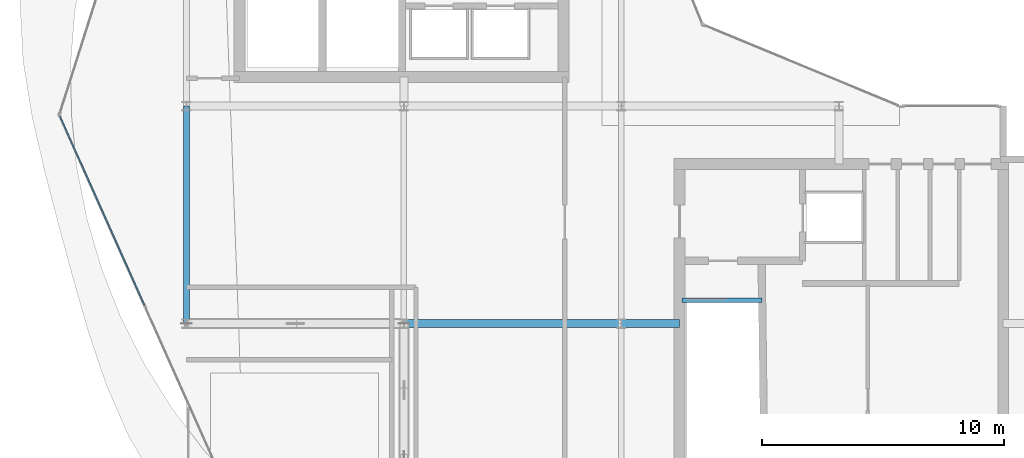
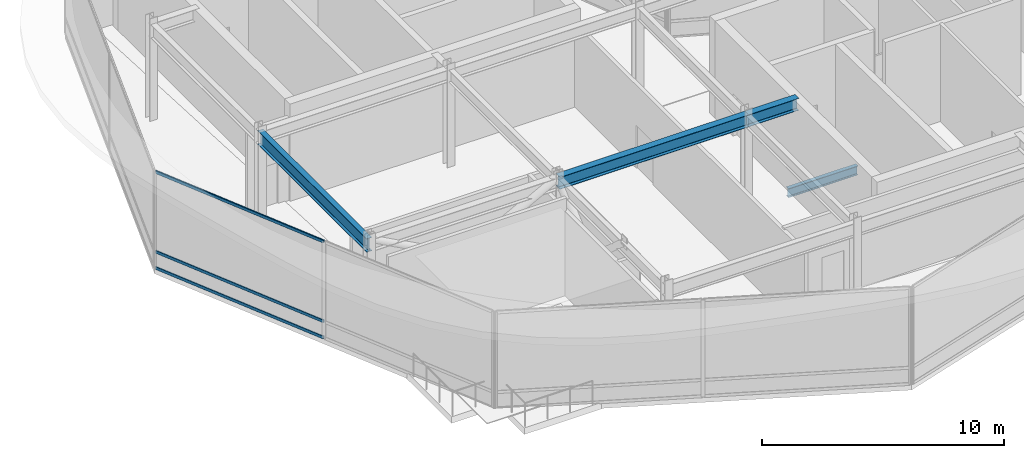
# One storey, part 5 of 19: 4 beams, 3 members, 1 element without a shape of its own.
"""IFC4 building model written with IfcOpenShell, lengths in metres."""

from ifc_helpers import new_model, si_unit, direction, frame, origin, origin_2d, place, context, subcontext, project, spatial, hollow_rectangle, i_section, extrude, material, layer, layer_set, material_profile, profile_set, type_object, element, aggregate, save


model = new_model("IFC4")

# Units and contexts
model_context = context("Model", 3, precision=1e-05, world=origin(), true_north=direction((0.0, 1.0)))
body_context = subcontext(model_context, "Body", "Model", "MODEL_VIEW")
ifc_project = project(units=[si_unit("LENGTHUNIT", "METRE"), si_unit("AREAUNIT", "SQUARE_METRE"), si_unit("VOLUMEUNIT", "CUBIC_METRE"), si_unit("PLANEANGLEUNIT", "RADIAN"), si_unit("MASSUNIT", "GRAM", prefix="KILO")], contexts=[model_context])

# Site, building, storey
site_placement = place(None, origin())
site = spatial("IfcSite", under=ifc_project, at=site_placement, CompositionType="ELEMENT")
building_placement = place(site_placement, origin())
building = spatial("IfcBuilding", under=site, at=building_placement, Name="Solvaryn Broadcast Tower", CompositionType="ELEMENT")
storey_placement = place(building_placement, frame((0.0, 0.0, 302.60009765625)))
storey = spatial("IfcBuildingStorey", under=building, at=storey_placement, Name="L76", CompositionType="ELEMENT", Elevation=302.60009765625)

# Beams
ifc_material_1 = material(Name="Steel ASTM A992 Grade 50", Category="steel")
ifc_material_profile_1 = material_profile(ifc_material_1, i_section(OverallWidth=0.323974609375, OverallDepth=0.611083984375, WebThickness=0.0126953125, FlangeThickness=0.01904296875, FilletRadius=0.014892578125, at=origin_2d()))
ifc_profile_set_1 = profile_set([ifc_material_profile_1], Name="Steel ASTM A992 Grade 50")
beam_type_1 = type_object("IfcBeamType", Name="BM-B1-W24X104", PredefinedType="BEAM", material=ifc_profile_set_1)
beam_1_placement = place(storey_placement, frame((18.0, 18.0, 4.594482421875), z_axis=(1.0, 0.0, 0.0), x_axis=(0.0, 1.0, 0.0)))
element("IfcBeam", 1, at=beam_1_placement, inside=storey, type_object=beam_type_1, Name="L76 Primary Beam X (18-27 @ Y=18)", PredefinedType="BEAM", context=body_context, shape_type="SweptSolid", body=[
    extrude(i_section(OverallWidth=0.323974609375, OverallDepth=0.611083984375, WebThickness=0.0126953125, FlangeThickness=0.01904296875, FilletRadius=0.014892578125, at=origin_2d()), origin(), (0.0, 0.0, 1.0), 9.0),
])
beam_2_placement = place(storey_placement, frame((27.0, 18.0, 4.594482421875), z_axis=(1.0, 0.0, 0.0), x_axis=(0.0, 1.0, 0.0)))
element("IfcBeam", 2, at=beam_2_placement, inside=storey, type_object=beam_type_1, Name="L76 Core Tie Beam CTE4", PredefinedType="BEAM", context=body_context, shape_type="SweptSolid", body=[
    extrude(i_section(OverallWidth=0.323974609375, OverallDepth=0.611083984375, WebThickness=0.0126953125, FlangeThickness=0.01904296875, FilletRadius=0.014892578125, at=origin_2d()), origin(), (0.0, 0.0, 1.0), 2.39990234375),
])
ifc_material_2 = material(Name="Steel ASTM A992 Grade 50", Category="steel")
ifc_material_profile_2 = material_profile(ifc_material_2, i_section(OverallWidth=0.18994140625, OverallDepth=0.45703125, WebThickness=0.009033203125, FlangeThickness=0.014404296875, FilletRadius=0.011962890625, at=origin_2d()))
ifc_profile_set_2 = profile_set([ifc_material_profile_2], Name="Steel ASTM A992 Grade 50")
beam_type_2 = type_object("IfcBeamType", Name="BM-B4-W18X50", PredefinedType="BEAM", material=ifc_profile_set_2)
beam_3_placement = place(storey_placement, frame((29.5, 18.9599609375, -0.55859375), z_axis=(1.0, 0.0, 0.0), x_axis=(0.0, 1.0, 0.0)))
element("IfcBeam", 3, at=beam_3_placement, inside=storey, type_object=beam_type_2, Name="L76 ST3 Top Stair Well Trimmer Beam", PredefinedType="BEAM", context=body_context, shape_type="SweptSolid", body=[
    extrude(i_section(OverallWidth=0.18994140625, OverallDepth=0.45703125, WebThickness=0.009033203125, FlangeThickness=0.014404296875, FilletRadius=0.011962890625, at=origin_2d()), origin(), (0.0, 0.0, 1.0), 3.320068359375),
])
ifc_material_3 = material(Name="Steel ASTM A992 Grade 50", Category="steel")
ifc_material_profile_3 = material_profile(ifc_material_3, i_section(OverallWidth=0.256103515625, OverallDepth=0.693115234375, WebThickness=0.014404296875, FlangeThickness=0.023681640625, FilletRadius=0.01611328125, at=origin_2d()))
ifc_profile_set_3 = profile_set([ifc_material_profile_3], Name="Steel ASTM A992 Grade 50")
beam_type_3 = type_object("IfcBeamType", Name="BM-SP3-W27X114", PredefinedType="USERDEFINED", material=ifc_profile_set_3)
beam_4_placement = place(storey_placement, frame((9.0, 18.0, 4.553466796875), z_axis=(0.0, 1.0, 0.0), x_axis=(-1.0, 0.0, 0.0)))
element("IfcBeam", 4, at=beam_4_placement, inside=storey, type_object=beam_type_3, Name="L76 Spandrel Beam Y (18-27 @ X=9)", ObjectType="SPANDREL", PredefinedType="USERDEFINED", context=body_context, shape_type="SweptSolid", body=[
    extrude(i_section(OverallWidth=0.256103515625, OverallDepth=0.693115234375, WebThickness=0.014404296875, FlangeThickness=0.023681640625, FilletRadius=0.01611328125, at=origin_2d()), origin(), (0.0, 0.0, 1.0), 9.0),
])

# Curtain wall, members
ifc_material_4 = material(Name="Aluminium and Terracotta Unitised Curtain Wall", Category="masonry")
ifc_layer = layer(ifc_material_4, 0.260009765625)
ifc_layer_set = layer_set([ifc_layer], Name="CW-SYS5-DAMPER")
curtain_wall_type = type_object("IfcCurtainWallType", Name="CW-SYS5-DAMPER", PredefinedType="NOTDEFINED", material=ifc_layer_set)
curtain_wall_placement = place(storey_placement, origin())
curtain_wall = element("IfcCurtainWall", 5, at=curtain_wall_placement, inside=storey, type_object=curtain_wall_type, Name="L76 Curtain Wall DR2", PredefinedType="NOTDEFINED")
ifc_material_5 = material(Name="Anodised Aluminium 6063-T6", Category="aluminium")
ifc_material_profile_4 = material_profile(ifc_material_5, hollow_rectangle(XDim=0.06494140625, YDim=0.14990234375, WallThickness=0.00390625, InnerFilletRadius=0.00390625, OuterFilletRadius=0.008056640625, at=origin_2d()))
ifc_profile_set_4 = profile_set([ifc_material_profile_4], Name="Anodised Aluminium 6063-T6")
member_type = type_object("IfcMemberType", Name="CW-TRN-150", PredefinedType="USERDEFINED", material=ifc_profile_set_4)
member_1_placement = place(storey_placement, frame((3.762451171875, 26.581298828125, 0.02978515625), z_axis=(0.408459074172, -0.91277663463, 0.0), x_axis=(0.91277663463, 0.408459074172, 0.0)))
member_1 = element("IfcMember", 6, at=member_1_placement, type_object=member_type, Name="CWS5 transom 1.1", ObjectType="TRANSOM", PredefinedType="USERDEFINED", context=body_context, shape_type="SweptSolid", body=[
    extrude(hollow_rectangle(XDim=0.06494140625, YDim=0.14990234375, WallThickness=0.00390625, InnerFilletRadius=0.00390625, OuterFilletRadius=0.008056640625, at=origin_2d()), origin(), (0.0, 0.0, 1.0), 8.575439453125),
])
member_2_placement = place(storey_placement, frame((3.762451171875, 26.581298828125, 0.849853515625), z_axis=(0.408459074172, -0.91277663463, 0.0), x_axis=(0.91277663463, 0.408459074172, 0.0)))
member_2 = element("IfcMember", 7, at=member_2_placement, type_object=member_type, Name="CWS5 transom 1.2", ObjectType="TRANSOM", PredefinedType="USERDEFINED", context=body_context, shape_type="SweptSolid", body=[
    extrude(hollow_rectangle(XDim=0.06494140625, YDim=0.14990234375, WallThickness=0.00390625, InnerFilletRadius=0.00390625, OuterFilletRadius=0.008056640625, at=origin_2d()), origin(), (0.0, 0.0, 1.0), 8.575439453125),
])
member_3_placement = place(storey_placement, frame((3.762451171875, 26.581298828125, 4.869873046875), z_axis=(0.408459074172, -0.91277663463, 0.0), x_axis=(0.91277663463, 0.408459074172, 0.0)))
member_3 = element("IfcMember", 8, at=member_3_placement, type_object=member_type, Name="CWS5 transom 1.3", ObjectType="TRANSOM", PredefinedType="USERDEFINED", context=body_context, shape_type="SweptSolid", body=[
    extrude(hollow_rectangle(XDim=0.06494140625, YDim=0.14990234375, WallThickness=0.00390625, InnerFilletRadius=0.00390625, OuterFilletRadius=0.008056640625, at=origin_2d()), origin(), (0.0, 0.0, 1.0), 8.575439453125),
])
aggregate(curtain_wall, [member_1, member_2, member_3])

save(model, "model.ifc")
